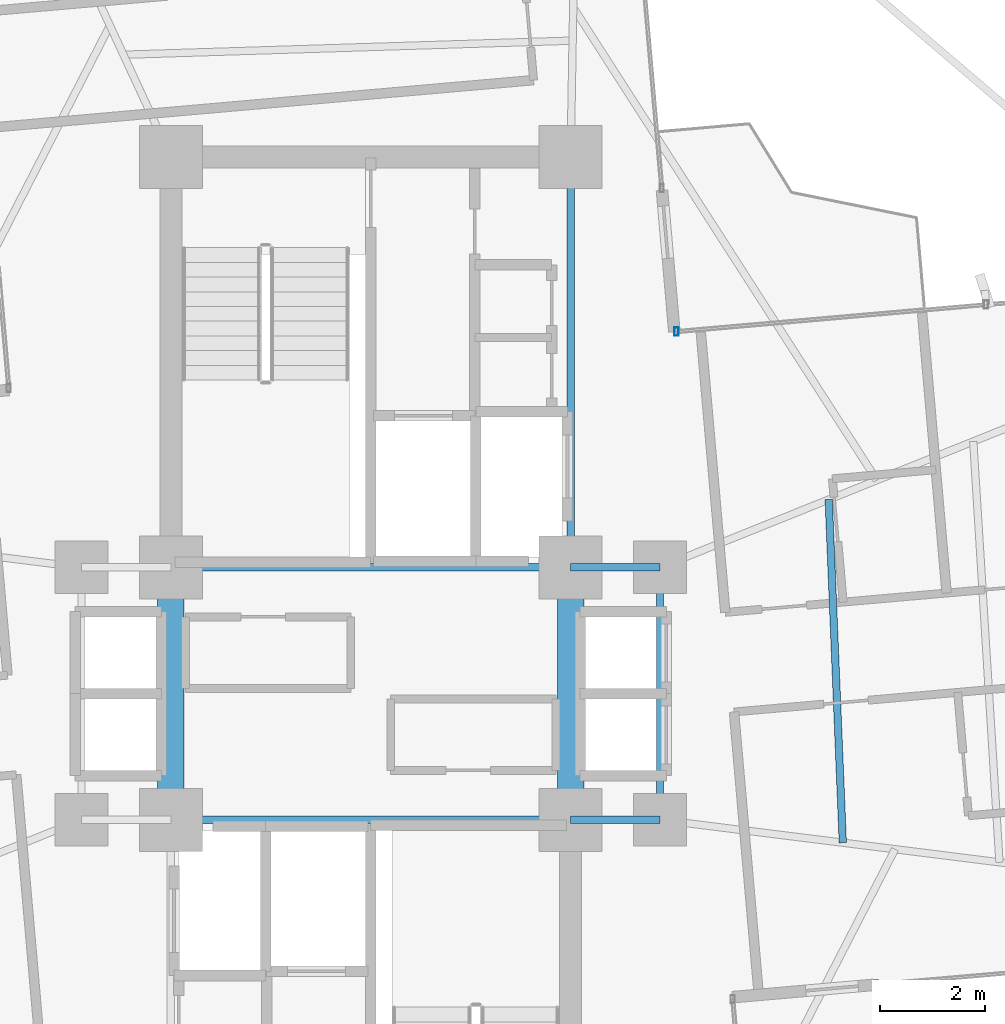
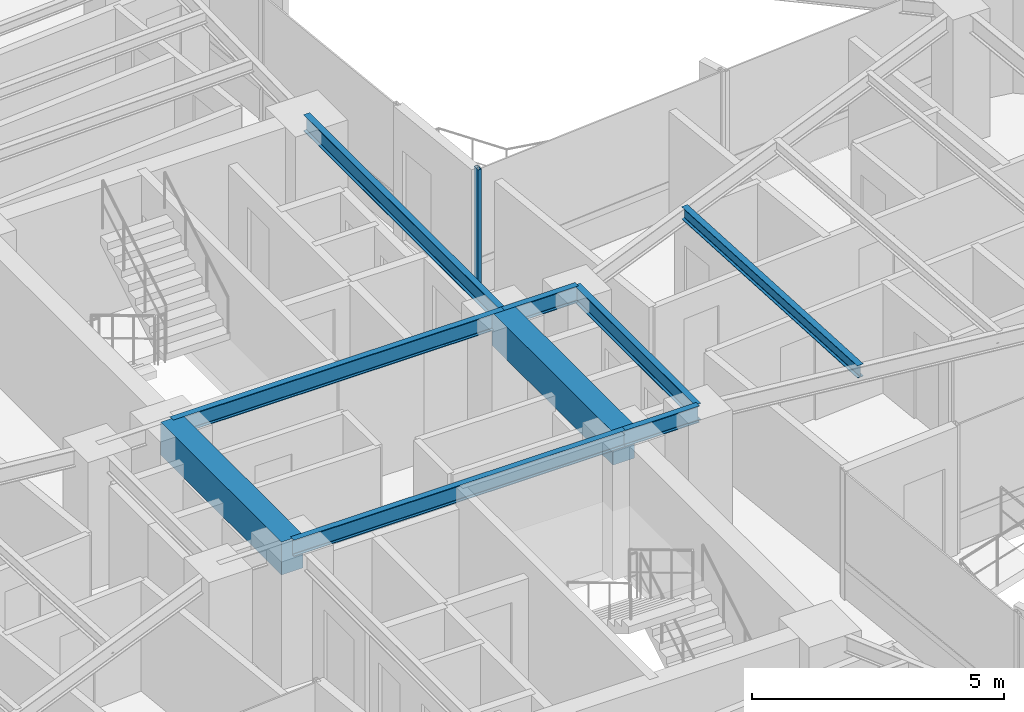
# One storey, part 11 of 24: 9 beams, 1 member, 1 element without a shape of its own.
"""IFC4 building model written with IfcOpenShell, lengths in metres."""

import ifcopenshell
import ifcopenshell.guid

model = None  # the IFC model being written
_history = None  # IfcOwnerHistory: only IFC2X3 demands one
_inside = {}  # id of a spatial element -> (the spatial element, [elements in it])
_under = {}  # id of a project, library or spatial element -> (it, [spatial elements below it])
_declared = {}  # id of a project -> (the project, [libraries it declares])
_typed = {}  # id of a type object -> (the type object, [elements of that type])
_made_of = {}  # id of a material, layer set ... -> (it, [elements and type objects made of it])


def new_model(schema):
    """Start an empty IFC model of exactly this schema.

    Asked for "IFC4X3", IfcOpenShell would pick the latest addendum, in which some entities
    have other attributes; the version numbers below select the first issue.
    IFC2X3 requires an IfcOwnerHistory on every rooted entity: one is made here for all.
    """
    global model, _history
    if schema == "IFC4X3":
        model = ifcopenshell.file(schema_version=(4, 3, 0, 0))
    else:
        model = ifcopenshell.file(schema=schema)
    _inside.clear()
    _under.clear()
    _declared.clear()
    _typed.clear()
    _made_of.clear()
    _history = None
    if model.schema == "IFC2X3":
        org = make("IfcOrganization", Name="unknown")
        user = make(
            "IfcPersonAndOrganization",
            ThePerson=make("IfcPerson", FamilyName="unknown"),
            TheOrganization=org,
        )
        app = make(
            "IfcApplication",
            ApplicationDeveloper=org,
            Version="unknown",
            ApplicationFullName="unknown",
            ApplicationIdentifier="unknown",
        )
        _history = make(
            "IfcOwnerHistory",
            OwningUser=user,
            OwningApplication=app,
            ChangeAction="ADDED",
            CreationDate=0,
        )
    return model


def make(cls, **values):
    """One entity of the class cls with the attributes given. An attribute that is None is left unset."""
    return model.create_entity(
        cls, **{name: value for name, value in values.items() if value is not None}
    )


def rooted(cls, **values):
    """An entity with a GlobalId (a new one), such as an element, a storey or a relation."""
    return make(cls, GlobalId=ifcopenshell.guid.new(), OwnerHistory=_history, **values)


def si_unit(unit_type, name, prefix=None):
    """IfcSIUnit, for example si_unit("LENGTHUNIT", "METRE", prefix="MILLI")."""
    return make("IfcSIUnit", UnitType=unit_type, Prefix=prefix, Name=name)


def assignment(units):
    """IfcUnitAssignment: the units of a project."""
    return None if units is None else make("IfcUnitAssignment", Units=units)


def point(xyz):
    """IfcCartesianPoint."""
    return None if xyz is None else make("IfcCartesianPoint", Coordinates=xyz)


def direction(xyz):
    """IfcDirection."""
    return None if xyz is None else make("IfcDirection", DirectionRatios=xyz)


def frame(location, z_axis=None, x_axis=None):
    """IfcAxis2Placement3D, a coordinate frame: its origin and axes. An axis left out is left unset."""
    return make(
        "IfcAxis2Placement3D",
        Location=point(location),
        Axis=direction(z_axis),
        RefDirection=direction(x_axis),
    )


def frame_2d(location, x_axis=None):
    """IfcAxis2Placement2D, a coordinate frame in the plane: its origin and x axis."""
    return make(
        "IfcAxis2Placement2D", Location=point(location), RefDirection=direction(x_axis)
    )


def origin():
    """The frame at (0, 0, 0) with its axes left unset."""
    return frame((0.0, 0.0, 0.0))


def origin_2d():
    """The frame at (0, 0) in the plane with its x axis left unset."""
    return frame_2d((0.0, 0.0))


def place(relative_to, where):
    """IfcLocalPlacement: puts the frame where relative to a parent placement (None: the world)."""
    return make(
        "IfcLocalPlacement", PlacementRelTo=relative_to, RelativePlacement=where
    )


def context(
    kind, dimensions, precision=None, world=None, true_north=None, identifier=None
):
    """IfcGeometricRepresentationContext, for example the 3D "Model" context."""
    return make(
        "IfcGeometricRepresentationContext",
        ContextIdentifier=identifier,
        ContextType=kind,
        CoordinateSpaceDimension=dimensions,
        Precision=precision,
        WorldCoordinateSystem=world,
        TrueNorth=true_north,
    )


def subcontext(parent, identifier, kind, view, scale=None):
    """IfcGeometricRepresentationSubContext, for example "Body" below "Model"."""
    return make(
        "IfcGeometricRepresentationSubContext",
        ContextIdentifier=identifier,
        ContextType=kind,
        ParentContext=parent,
        TargetScale=scale,
        TargetView=view,
    )


def project(units=None, contexts=None):
    """IfcProject with its units and contexts."""
    return rooted(
        "IfcProject",
        Name="project",
        RepresentationContexts=contexts,
        UnitsInContext=assignment(units),
    )


def spatial(cls, under=None, at=None, **own):
    """A site, building, storey or space (cls), placed at a placement, below another one or the project."""
    s = rooted(cls, ObjectPlacement=at, **own)
    if under is not None:
        _under.setdefault(under.id(), (under, []))[1].append(s)
    return s


def profile(cls, at=None, kind="AREA", **sizes):
    """A parametric profile (cls). Its sizes go by their IFC names, for example OverallWidth=200.0."""
    return make(cls, ProfileType=kind, Position=at, **sizes)


def rectangle(**sizes):
    """IfcRectangleProfileDef."""
    return profile("IfcRectangleProfileDef", **sizes)


def hollow_rectangle(**sizes):
    """IfcRectangleHollowProfileDef."""
    return profile("IfcRectangleHollowProfileDef", **sizes)


def i_section(**sizes):
    """IfcIShapeProfileDef."""
    return profile("IfcIShapeProfileDef", **sizes)


def extrude(swept, where, along, depth):
    """IfcExtrudedAreaSolid: the profile swept, set in the frame where, extruded along a direction by depth."""
    return make(
        "IfcExtrudedAreaSolid",
        SweptArea=swept,
        Position=where,
        ExtrudedDirection=direction(along),
        Depth=depth,
    )


def shape(context_of_items, identifier, shape_type, items):
    """IfcShapeRepresentation: the items that make up one representation, for example the "Body"."""
    return make(
        "IfcShapeRepresentation",
        ContextOfItems=context_of_items,
        RepresentationIdentifier=identifier,
        RepresentationType=shape_type,
        Items=items,
    )


def source(mapping_origin, context_of_items, identifier, shape_type, items):
    """IfcRepresentationMap: a shape defined once, which mapped items show again and again."""
    return make(
        "IfcRepresentationMap",
        MappingOrigin=mapping_origin,
        MappedRepresentation=shape(context_of_items, identifier, shape_type, items),
    )


def transform(
    local_origin,
    x_axis=None,
    y_axis=None,
    z_axis=None,
    scale=None,
    scale2=None,
    scale3=None,
    uniform=True,
):
    """IfcCartesianTransformationOperator3D, or its non-uniform kind. x_axis, y_axis, z_axis: its Axis1, 2, 3."""
    if uniform:
        return make(
            "IfcCartesianTransformationOperator3D",
            Axis1=direction(x_axis),
            Axis2=direction(y_axis),
            LocalOrigin=point(local_origin),
            Scale=scale,
            Axis3=direction(z_axis),
        )
    return make(
        "IfcCartesianTransformationOperator3DnonUniform",
        Axis1=direction(x_axis),
        Axis2=direction(y_axis),
        LocalOrigin=point(local_origin),
        Scale=scale,
        Axis3=direction(z_axis),
        Scale2=scale2,
        Scale3=scale3,
    )


def mapped(mapping_source, mapping_target):
    """IfcMappedItem: shows the shape of a source again, moved by a transform."""
    return make(
        "IfcMappedItem", MappingSource=mapping_source, MappingTarget=mapping_target
    )


def material(Name=None, Category=None):
    """IfcMaterial."""
    return make("IfcMaterial", Name=Name, Category=Category)


def material_profile(
    of_material, cross_section, Name=None, Category=None, Priority=None
):
    """IfcMaterialProfile: a cross section and its material."""
    return make(
        "IfcMaterialProfile",
        Name=Name,
        Material=of_material,
        Profile=cross_section,
        Priority=Priority,
        Category=Category,
    )


def profile_set(profiles, Name=None, composite=None):
    """IfcMaterialProfileSet."""
    return make(
        "IfcMaterialProfileSet",
        Name=Name,
        MaterialProfiles=profiles,
        CompositeProfile=composite,
    )


def made_of(thing, what):
    """Note that an element or type object is made of a material, layer set ...; save() writes the relation."""
    if what is not None:
        _made_of.setdefault(what.id(), (what, []))[1].append(thing)
    return thing


def type_object(cls, material=None, **own):
    """A type object (cls), such as IfcWallType, which elements share."""
    return made_of(rooted(cls, **own), material)


def element(
    cls,
    number,
    at=None,
    inside=None,
    cuts=None,
    type_object=None,
    material=None,
    context=None,
    identifier="Body",
    shape_type=None,
    held_by="IfcProductDefinitionShape",
    body=None,
    shapes=None,
    **own,
):
    """One element of the class cls, such as IfcWall. Its Tag is "e" and its number.

    at: its placement. inside: the storey or other place that contains it. cuts: it is an
    opening in that element (IfcRelVoidsElement). A single representation is given by context,
    identifier, shape_type and body (its items); several are given by shapes. held_by: the class
    of the entity that holds the representations. save() writes the other relations.
    """
    e = rooted(cls, Tag="e%d" % number, ObjectPlacement=at, **own)
    if body is not None:
        shapes = [shape(context, identifier, shape_type, body)]
    if shapes is not None:
        e.Representation = make(held_by, Representations=shapes)
    if inside is not None:
        _inside.setdefault(inside.id(), (inside, []))[1].append(e)
    if cuts is not None:
        rooted(
            "IfcRelVoidsElement", RelatingBuildingElement=cuts, RelatedOpeningElement=e
        )
    if type_object is not None:
        _typed.setdefault(type_object.id(), (type_object, []))[1].append(e)
    return made_of(e, material)


def aggregate(whole, parts):
    """IfcRelAggregates: a whole, such as a stair, and the parts it consists of."""
    return rooted("IfcRelAggregates", RelatingObject=whole, RelatedObjects=parts)


def save(model, path):
    """Write the relations noted so far, then the file.

    IfcRelAggregates (storeys below a building ...), IfcRelContainedInSpatialStructure (elements
    in a storey), IfcRelDefinesByType, IfcRelAssociatesMaterial and IfcRelDeclares: one each for
    every whole, place, type object, material and project.
    """
    for whole, parts in _under.values():
        aggregate(whole, parts)
    for where, things in _inside.values():
        rooted(
            "IfcRelContainedInSpatialStructure",
            RelatedElements=things,
            RelatingStructure=where,
        )
    for kind, things in _typed.values():
        rooted("IfcRelDefinesByType", RelatedObjects=things, RelatingType=kind)
    for what, things in _made_of.values():
        rooted("IfcRelAssociatesMaterial", RelatedObjects=things, RelatingMaterial=what)
    for by, libraries in _declared.values():
        rooted("IfcRelDeclares", RelatingContext=by, RelatedDefinitions=libraries)
    model.write(path)


model = new_model("IFC4")

# Units and contexts
model_context = context("Model", 3, precision=1e-05, world=origin(), true_north=direction((0.0, 1.0)))
body_context = subcontext(model_context, "Body", "Model", "MODEL_VIEW")
ifc_project = project(units=[si_unit("LENGTHUNIT", "METRE"), si_unit("AREAUNIT", "SQUARE_METRE"), si_unit("VOLUMEUNIT", "CUBIC_METRE"), si_unit("PLANEANGLEUNIT", "RADIAN"), si_unit("MASSUNIT", "GRAM", prefix="KILO")], contexts=[model_context])

# Site, building, storey
site_placement = place(None, origin())
site = spatial("IfcSite", under=ifc_project, at=site_placement, CompositionType="ELEMENT")
building_placement = place(site_placement, origin())
building = spatial("IfcBuilding", under=site, at=building_placement, Name="Sahyath Konkavel Grand Hotel", CompositionType="ELEMENT")
storey_placement = place(building_placement, frame((0.0, 0.0, 191.949951171875)))
storey = spatial("IfcBuildingStorey", under=building, at=storey_placement, Name="L53", CompositionType="ELEMENT", Elevation=191.949951171875)

# Beams
ifc_material_1 = material(Name="Steel E350", Category="steel")
ifc_material_profile_1 = material_profile(ifc_material_1, i_section(OverallWidth=0.139892578125, OverallDepth=0.39990234375, WebThickness=0.0087890625, FlangeThickness=0.01611328125, FilletRadius=0.013916015625, at=origin_2d()), Name="ISMB 400")
ifc_profile_set_1 = profile_set([ifc_material_profile_1], Name="Steel E350")
beam_type_1 = type_object("IfcBeamType", Name="BM-ISMB400", PredefinedType="BEAM", material=ifc_profile_set_1)
shared_shape_1 = source(origin(), body_context, "Body", "SweptSolid", [
    extrude(i_section(OverallWidth=0.139892578125, OverallDepth=0.39990234375, WebThickness=0.0087890625, FlangeThickness=0.01611328125, FilletRadius=0.013916015625, at=origin_2d()), origin(), (0.0, 0.0, 1.0), 7.60009765625),
])
for number, where, z_axis, x_axis, name in (
    (1, (-3.800048828125, 2.39990234375, 2.91015625), (1.0, 0.0, 0.0), (0.0, 1.0, 0.0), "str:bm:L53:NC-S"),
    (2, (-3.800048828125, -2.39990234375, 2.91015625), (1.0, 0.0, 0.0), (0.0, 1.0, 0.0), "str:bm:L53:SC-N"),
):
    element("IfcBeam", number, at=place(storey_placement, frame(where, z_axis=z_axis, x_axis=x_axis)), inside=storey, type_object=beam_type_1, Name=name, PredefinedType="BEAM", context=body_context, shape_type="MappedRepresentation", body=[
        mapped(shared_shape_1, transform((0.0, 0.0, 0.0), scale=1.0)),
    ])
shared_shape_2 = source(origin(), body_context, "Body", "SweptSolid", [
    extrude(i_section(OverallWidth=0.139892578125, OverallDepth=0.39990234375, WebThickness=0.0087890625, FlangeThickness=0.01611328125, FilletRadius=0.013916015625, at=origin_2d()), origin(), (0.0, 0.0, 1.0), 7.800048828125),
])
beam_1_placement = place(storey_placement, frame((3.800048828125, 2.39990234375, 2.91015625), z_axis=(0.0, 1.0, 0.0), x_axis=(-1.0, 0.0, 0.0)))
element("IfcBeam", 3, at=beam_1_placement, inside=storey, type_object=beam_type_1, Name="str:bm:L53:NC-E", PredefinedType="BEAM", context=body_context, shape_type="MappedRepresentation", body=[
    mapped(shared_shape_2, transform((0.0, 0.0, 0.0), scale=1.0)),
])
shared_shape_3 = source(origin(), body_context, "Body", "SweptSolid", [
    extrude(i_section(OverallWidth=0.139892578125, OverallDepth=0.39990234375, WebThickness=0.0087890625, FlangeThickness=0.01611328125, FilletRadius=0.013916015625, at=origin_2d()), origin(), (0.0, 0.0, 1.0), 1.699951171875),
])
for number, where, z_axis, x_axis, name in (
    (4, (3.800048828125, 2.39990234375, 2.91015625), (1.0, 0.0, 0.0), (0.0, 1.0, 0.0), "str:bm:L53:HB-NE"),
    (5, (3.800048828125, -2.39990234375, 2.91015625), (1.0, 0.0, 0.0), (0.0, 1.0, 0.0), "str:bm:L53:HB-SE"),
):
    element("IfcBeam", number, at=place(storey_placement, frame(where, z_axis=z_axis, x_axis=x_axis)), inside=storey, type_object=beam_type_1, Name=name, PredefinedType="BEAM", context=body_context, shape_type="MappedRepresentation", body=[
        mapped(shared_shape_3, transform((0.0, 0.0, 0.0), scale=1.0)),
    ])
shared_shape_4 = source(origin(), body_context, "Body", "SweptSolid", [
    extrude(i_section(OverallWidth=0.139892578125, OverallDepth=0.39990234375, WebThickness=0.0087890625, FlangeThickness=0.01611328125, FilletRadius=0.013916015625, at=origin_2d()), origin(), (0.0, 0.0, 1.0), 4.7998046875),
])
beam_2_placement = place(storey_placement, frame((5.5, -2.39990234375, 2.91015625), z_axis=(0.0, 1.0, 0.0), x_axis=(-1.0, 0.0, 0.0)))
element("IfcBeam", 6, at=beam_2_placement, inside=storey, type_object=beam_type_1, Name="str:bm:L53:HB-E", PredefinedType="BEAM", context=body_context, shape_type="MappedRepresentation", body=[
    mapped(shared_shape_4, transform((0.0, 0.0, 0.0), scale=1.0)),
])
ifc_material_2 = material(Name="Concrete C50/60", Category="concrete")
ifc_material_profile_2 = material_profile(ifc_material_2, rectangle(XDim=0.5, YDim=0.800048828125, at=origin_2d()), Name="RC 500x800")
ifc_profile_set_2 = profile_set([ifc_material_profile_2], Name="Concrete C50/60")
beam_type_2 = type_object("IfcBeamType", Name="BM-CB500x800", PredefinedType="LINTEL", material=ifc_profile_set_2)
shared_shape_5 = source(origin(), body_context, "Body", "SweptSolid", [
    extrude(rectangle(XDim=0.5, YDim=0.800048828125, at=origin_2d()), origin(), (0.0, 0.0, 1.0), 4.7998046875),
])
for number, where, z_axis, x_axis, name in (
    (7, (-3.800048828125, -2.39990234375, 2.7099609375), (0.0, 1.0, 0.0), (-1.0, 0.0, 0.0), "L53 Split-Core Coupling Beam West"),
    (8, (3.800048828125, -2.39990234375, 2.7099609375), (0.0, 1.0, 0.0), (-1.0, 0.0, 0.0), "L53 Split-Core Coupling Beam East"),
):
    element("IfcBeam", number, at=place(storey_placement, frame(where, z_axis=z_axis, x_axis=x_axis)), inside=storey, type_object=beam_type_2, Name=name, PredefinedType="LINTEL", context=body_context, shape_type="MappedRepresentation", body=[
        mapped(shared_shape_5, transform((0.0, 0.0, 0.0), scale=1.0)),
    ])
ifc_material_profile_3 = material_profile(ifc_material_1, i_section(OverallWidth=0.139892578125, OverallDepth=0.300048828125, WebThickness=0.0078125, FlangeThickness=0.01318359375, FilletRadius=0.013916015625, at=origin_2d()), Name="ISMB 300")
ifc_profile_set_3 = profile_set([ifc_material_profile_3], Name="Steel E350")
beam_type_3 = type_object("IfcBeamType", Name="BM-ISMB300", PredefinedType="BEAM", material=ifc_profile_set_3)
shared_shape_6 = source(origin(), body_context, "Body", "SweptSolid", [
    extrude(i_section(OverallWidth=0.139892578125, OverallDepth=0.300048828125, WebThickness=0.0078125, FlangeThickness=0.01318359375, FilletRadius=0.013916015625, at=origin_2d()), origin(), (0.0, 0.0, 1.0), 6.530029296875),
])
beam_3_placement = place(storey_placement, frame((8.9755859375, -2.835205078125, 2.9599609375), z_axis=(-0.04112667768, 0.999153940283, 0.0), x_axis=(-0.999153940283, -0.04112667768, 0.0)))
element("IfcBeam", 9, at=beam_3_placement, inside=storey, type_object=beam_type_3, Name="L53 Secondary Floor Beam E-1", PredefinedType="BEAM", context=body_context, shape_type="MappedRepresentation", body=[
    mapped(shared_shape_6, transform((0.0, 0.0, 0.0), scale=1.0)),
])

# Curtain wall, member
ifc_material_3 = material(Name="Anodised Bronze Aluminium & Low-E Glazing", Category="aluminium")
curtain_wall_type = type_object("IfcCurtainWallType", Name="CW-ZONE3", PredefinedType="NOTDEFINED", material=ifc_material_3)
curtain_wall_placement = place(storey_placement, origin())
curtain_wall = element("IfcCurtainWall", 10, at=curtain_wall_placement, inside=storey, type_object=curtain_wall_type, Name="L53 Unitised Curtain Wall F7", PredefinedType="NOTDEFINED")
ifc_material_4 = material(Name="Anodised Bronze Aluminium", Category="aluminium")
ifc_material_profile_4 = material_profile(ifc_material_4, hollow_rectangle(XDim=0.080078125, YDim=0.159912109375, WallThickness=0.006103515625, at=origin_2d()), Name="RHS 160x80x6")
ifc_profile_set_4 = profile_set([ifc_material_profile_4], Name="Anodised Bronze Aluminium")
member_type = type_object("IfcMemberType", Name="CW-MUL-160", PredefinedType="MULLION", material=ifc_profile_set_4)
shared_shape_7 = source(origin(), body_context, "Body", "SweptSolid", [
    extrude(hollow_rectangle(XDim=0.080078125, YDim=0.159912109375, WallThickness=0.006103515625, at=origin_2d()), origin(), (0.0, 0.0, 1.0), 3.110107421875),
])
member_placement = place(storey_placement, frame((5.812255859375, 6.8828125, 0.0), z_axis=(0.0, 0.0, 1.0), x_axis=(1.0, 0.0, 0.0)))
member = element("IfcMember", 11, at=member_placement, type_object=member_type, Name="L53 Curtain Wall Mullion F7-2", PredefinedType="MULLION", context=body_context, shape_type="MappedRepresentation", body=[
    mapped(shared_shape_7, transform((0.0, 0.0, 0.0), scale=1.0)),
])
aggregate(curtain_wall, [member])

save(model, "model.ifc")
